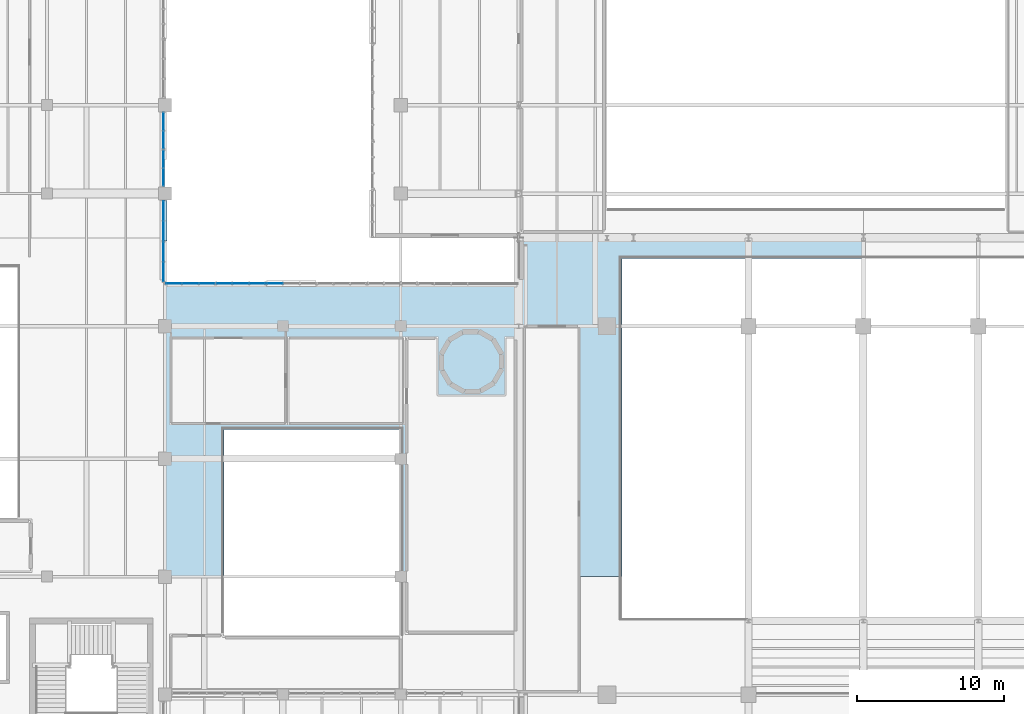
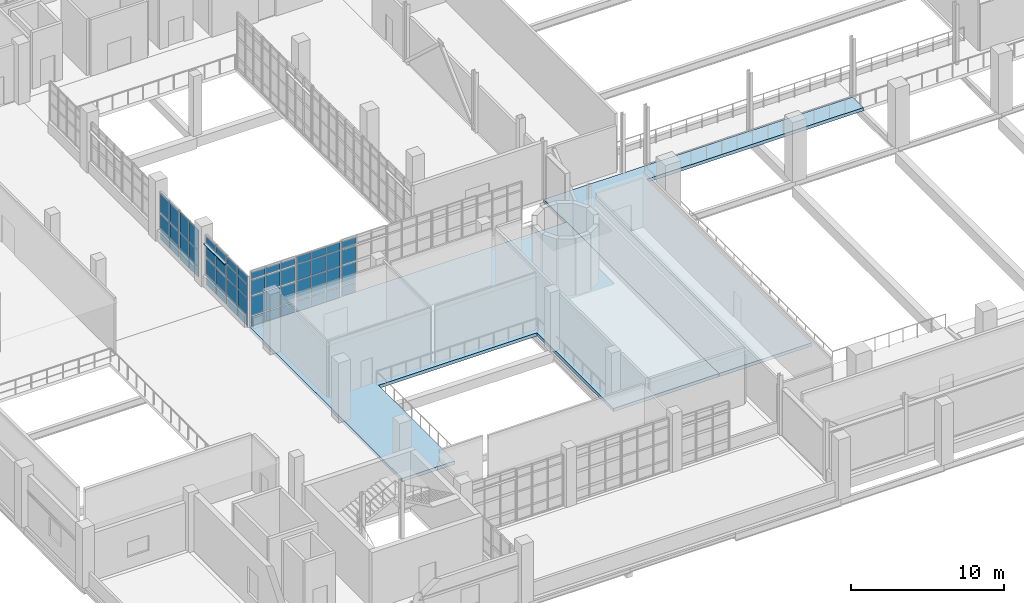
# One storey, part 67 of 102: 57 plates, 2 slabs, 7 elements without a shape of their own.
"""IFC4 building model written with IfcOpenShell, lengths in metres."""

import ifcopenshell
import ifcopenshell.guid

model = None  # the IFC model being written
_history = None  # IfcOwnerHistory: only IFC2X3 demands one
_inside = {}  # id of a spatial element -> (the spatial element, [elements in it])
_under = {}  # id of a project, library or spatial element -> (it, [spatial elements below it])
_declared = {}  # id of a project -> (the project, [libraries it declares])
_typed = {}  # id of a type object -> (the type object, [elements of that type])
_made_of = {}  # id of a material, layer set ... -> (it, [elements and type objects made of it])


def new_model(schema):
    """Start an empty IFC model of exactly this schema.

    Asked for "IFC4X3", IfcOpenShell would pick the latest addendum, in which some entities
    have other attributes; the version numbers below select the first issue.
    IFC2X3 requires an IfcOwnerHistory on every rooted entity: one is made here for all.
    """
    global model, _history
    if schema == "IFC4X3":
        model = ifcopenshell.file(schema_version=(4, 3, 0, 0))
    else:
        model = ifcopenshell.file(schema=schema)
    _inside.clear()
    _under.clear()
    _declared.clear()
    _typed.clear()
    _made_of.clear()
    _history = None
    if model.schema == "IFC2X3":
        org = make("IfcOrganization", Name="unknown")
        user = make(
            "IfcPersonAndOrganization",
            ThePerson=make("IfcPerson", FamilyName="unknown"),
            TheOrganization=org,
        )
        app = make(
            "IfcApplication",
            ApplicationDeveloper=org,
            Version="unknown",
            ApplicationFullName="unknown",
            ApplicationIdentifier="unknown",
        )
        _history = make(
            "IfcOwnerHistory",
            OwningUser=user,
            OwningApplication=app,
            ChangeAction="ADDED",
            CreationDate=0,
        )
    return model


def make(cls, **values):
    """One entity of the class cls with the attributes given. An attribute that is None is left unset."""
    return model.create_entity(
        cls, **{name: value for name, value in values.items() if value is not None}
    )


def rooted(cls, **values):
    """An entity with a GlobalId (a new one), such as an element, a storey or a relation."""
    return make(cls, GlobalId=ifcopenshell.guid.new(), OwnerHistory=_history, **values)


def si_unit(unit_type, name, prefix=None):
    """IfcSIUnit, for example si_unit("LENGTHUNIT", "METRE", prefix="MILLI")."""
    return make("IfcSIUnit", UnitType=unit_type, Prefix=prefix, Name=name)


def derived_unit(unit_type, elements):
    """IfcDerivedUnit: a product of units, each with its exponent."""
    return make(
        "IfcDerivedUnit",
        Elements=[
            make("IfcDerivedUnitElement", Unit=unit, Exponent=power)
            for unit, power in elements
        ],
        UnitType=unit_type,
    )


def assignment(units):
    """IfcUnitAssignment: the units of a project."""
    return None if units is None else make("IfcUnitAssignment", Units=units)


def point(xyz):
    """IfcCartesianPoint."""
    return None if xyz is None else make("IfcCartesianPoint", Coordinates=xyz)


def direction(xyz):
    """IfcDirection."""
    return None if xyz is None else make("IfcDirection", DirectionRatios=xyz)


def frame(location, z_axis=None, x_axis=None):
    """IfcAxis2Placement3D, a coordinate frame: its origin and axes. An axis left out is left unset."""
    return make(
        "IfcAxis2Placement3D",
        Location=point(location),
        Axis=direction(z_axis),
        RefDirection=direction(x_axis),
    )


def frame_2d(location, x_axis=None):
    """IfcAxis2Placement2D, a coordinate frame in the plane: its origin and x axis."""
    return make(
        "IfcAxis2Placement2D", Location=point(location), RefDirection=direction(x_axis)
    )


def origin():
    """The frame at (0, 0, 0) with its axes left unset."""
    return frame((0.0, 0.0, 0.0))


def origin_2d():
    """The frame at (0, 0) in the plane with its x axis left unset."""
    return frame_2d((0.0, 0.0))


def place(relative_to, where):
    """IfcLocalPlacement: puts the frame where relative to a parent placement (None: the world)."""
    return make(
        "IfcLocalPlacement", PlacementRelTo=relative_to, RelativePlacement=where
    )


def context(
    kind, dimensions, precision=None, world=None, true_north=None, identifier=None
):
    """IfcGeometricRepresentationContext, for example the 3D "Model" context."""
    return make(
        "IfcGeometricRepresentationContext",
        ContextIdentifier=identifier,
        ContextType=kind,
        CoordinateSpaceDimension=dimensions,
        Precision=precision,
        WorldCoordinateSystem=world,
        TrueNorth=true_north,
    )


def subcontext(parent, identifier, kind, view, scale=None):
    """IfcGeometricRepresentationSubContext, for example "Body" below "Model"."""
    return make(
        "IfcGeometricRepresentationSubContext",
        ContextIdentifier=identifier,
        ContextType=kind,
        ParentContext=parent,
        TargetScale=scale,
        TargetView=view,
    )


def project(units=None, contexts=None):
    """IfcProject with its units and contexts."""
    return rooted(
        "IfcProject",
        Name="project",
        RepresentationContexts=contexts,
        UnitsInContext=assignment(units),
    )


def spatial(cls, under=None, at=None, **own):
    """A site, building, storey or space (cls), placed at a placement, below another one or the project."""
    s = rooted(cls, ObjectPlacement=at, **own)
    if under is not None:
        _under.setdefault(under.id(), (under, []))[1].append(s)
    return s


def polyline(points):
    """IfcPolyline through the points."""
    return make("IfcPolyline", Points=[point(p) for p in points])


def profile(cls, at=None, kind="AREA", **sizes):
    """A parametric profile (cls). Its sizes go by their IFC names, for example OverallWidth=200.0."""
    return make(cls, ProfileType=kind, Position=at, **sizes)


def rectangle(**sizes):
    """IfcRectangleProfileDef."""
    return profile("IfcRectangleProfileDef", **sizes)


def outline(outer, holes=None, kind="AREA"):
    """IfcArbitraryClosedProfileDef: a profile drawn as a closed curve; with holes, ...WithVoids."""
    if holes is None:
        return make("IfcArbitraryClosedProfileDef", ProfileType=kind, OuterCurve=outer)
    return make(
        "IfcArbitraryProfileDefWithVoids",
        ProfileType=kind,
        OuterCurve=outer,
        InnerCurves=holes,
    )


def extrude(swept, where, along, depth):
    """IfcExtrudedAreaSolid: the profile swept, set in the frame where, extruded along a direction by depth."""
    return make(
        "IfcExtrudedAreaSolid",
        SweptArea=swept,
        Position=where,
        ExtrudedDirection=direction(along),
        Depth=depth,
    )


def shape(context_of_items, identifier, shape_type, items):
    """IfcShapeRepresentation: the items that make up one representation, for example the "Body"."""
    return make(
        "IfcShapeRepresentation",
        ContextOfItems=context_of_items,
        RepresentationIdentifier=identifier,
        RepresentationType=shape_type,
        Items=items,
    )


def material(Name=None, Category=None):
    """IfcMaterial."""
    return make("IfcMaterial", Name=Name, Category=Category)


def layer(
    of_material, thickness, ventilated=None, Name=None, Category=None, Priority=None
):
    """IfcMaterialLayer: one layer of a wall or slab, of a material (None: an air gap)."""
    return make(
        "IfcMaterialLayer",
        Material=of_material,
        LayerThickness=thickness,
        IsVentilated=ventilated,
        Name=Name,
        Category=Category,
        Priority=Priority,
    )


def layer_set(layers, Name=None):
    """IfcMaterialLayerSet."""
    return make("IfcMaterialLayerSet", MaterialLayers=layers, LayerSetName=Name)


def made_of(thing, what):
    """Note that an element or type object is made of a material, layer set ...; save() writes the relation."""
    if what is not None:
        _made_of.setdefault(what.id(), (what, []))[1].append(thing)
    return thing


def type_object(cls, material=None, **own):
    """A type object (cls), such as IfcWallType, which elements share."""
    return made_of(rooted(cls, **own), material)


def element(
    cls,
    number,
    at=None,
    inside=None,
    cuts=None,
    type_object=None,
    material=None,
    context=None,
    identifier="Body",
    shape_type=None,
    held_by="IfcProductDefinitionShape",
    body=None,
    shapes=None,
    **own,
):
    """One element of the class cls, such as IfcWall. Its Tag is "e" and its number.

    at: its placement. inside: the storey or other place that contains it. cuts: it is an
    opening in that element (IfcRelVoidsElement). A single representation is given by context,
    identifier, shape_type and body (its items); several are given by shapes. held_by: the class
    of the entity that holds the representations. save() writes the other relations.
    """
    e = rooted(cls, Tag="e%d" % number, ObjectPlacement=at, **own)
    if body is not None:
        shapes = [shape(context, identifier, shape_type, body)]
    if shapes is not None:
        e.Representation = make(held_by, Representations=shapes)
    if inside is not None:
        _inside.setdefault(inside.id(), (inside, []))[1].append(e)
    if cuts is not None:
        rooted(
            "IfcRelVoidsElement", RelatingBuildingElement=cuts, RelatedOpeningElement=e
        )
    if type_object is not None:
        _typed.setdefault(type_object.id(), (type_object, []))[1].append(e)
    return made_of(e, material)


def aggregate(whole, parts):
    """IfcRelAggregates: a whole, such as a stair, and the parts it consists of."""
    return rooted("IfcRelAggregates", RelatingObject=whole, RelatedObjects=parts)


def save(model, path):
    """Write the relations noted so far, then the file.

    IfcRelAggregates (storeys below a building ...), IfcRelContainedInSpatialStructure (elements
    in a storey), IfcRelDefinesByType, IfcRelAssociatesMaterial and IfcRelDeclares: one each for
    every whole, place, type object, material and project.
    """
    for whole, parts in _under.values():
        aggregate(whole, parts)
    for where, things in _inside.values():
        rooted(
            "IfcRelContainedInSpatialStructure",
            RelatedElements=things,
            RelatingStructure=where,
        )
    for kind, things in _typed.values():
        rooted("IfcRelDefinesByType", RelatedObjects=things, RelatingType=kind)
    for what, things in _made_of.values():
        rooted("IfcRelAssociatesMaterial", RelatedObjects=things, RelatingMaterial=what)
    for by, libraries in _declared.values():
        rooted("IfcRelDeclares", RelatingContext=by, RelatedDefinitions=libraries)
    model.write(path)


model = new_model("IFC4")

# Units and contexts
model_context = context("Model", 3, precision=1e-05, world=origin(), true_north=direction((0.0, 1.0)))
body_context = subcontext(model_context, "Body", "Model", "MODEL_VIEW")
ifc_project = project(units=[si_unit("LENGTHUNIT", "METRE"), si_unit("AREAUNIT", "SQUARE_METRE"), si_unit("VOLUMEUNIT", "CUBIC_METRE"), si_unit("PLANEANGLEUNIT", "RADIAN"), si_unit("MASSUNIT", "GRAM", prefix="KILO"), derived_unit("THERMALTRANSMITTANCEUNIT", [(si_unit("POWERUNIT", "WATT"), 1), (si_unit("LENGTHUNIT", "METRE"), -2), (si_unit("THERMODYNAMICTEMPERATUREUNIT", "KELVIN"), -1)])], contexts=[model_context])

# Site, building, storey
site_placement = place(None, origin())
site = spatial("IfcSite", under=ifc_project, at=site_placement, CompositionType="ELEMENT")
building_placement = place(site_placement, origin())
building = spatial("IfcBuilding", under=site, at=building_placement, Name="Nallur Shell Playhouse", CompositionType="ELEMENT")
storey_placement = place(building_placement, frame((0.0, 0.0, 15.0)))
storey = spatial("IfcBuildingStorey", under=building, at=storey_placement, Name="L04", CompositionType="ELEMENT", Elevation=15.0)

# Curtain wall, plates
ifc_material_1 = material(Name="Anodised Aluminium Double-Glazed Facade System", Category="aluminium")
ifc_layer_1 = layer(ifc_material_1, 0.179931640625)
ifc_layer_set_1 = layer_set([ifc_layer_1], Name="Anodised Aluminium Double-Glazed Facade System")
curtain_wall_type_1 = type_object("IfcCurtainWallType", Name="CW-UNIT-17", PredefinedType="NOTDEFINED", material=ifc_layer_set_1)
curtain_wall_1_placement = place(storey_placement, origin())
curtain_wall_1 = element("IfcCurtainWall", 1, at=curtain_wall_1_placement, inside=storey, type_object=curtain_wall_type_1, Name="Unitised curtain wall CW-145 (L04)", PredefinedType="NOTDEFINED")
ifc_material_2 = material(Name="Solar-Control Low-E Laminated Insulating Glass", Category="glass")
ifc_layer_2 = layer(ifc_material_2, 0.02587890625)
ifc_layer_set_2 = layer_set([ifc_layer_2], Name="Solar-Control Low-E Laminated Insulating Glass")
plate_type_1 = type_object("IfcPlateType", Name="PT-GLZ-01", PredefinedType="CURTAIN_PANEL", material=ifc_layer_set_2)
plate_1_placement = place(storey_placement, frame((39.909912109375, 46.058349609375, 0.05712890625), z_axis=(0.0, 0.0, 1.0), x_axis=(0.0, -1.0, 0.0)))
plate_1 = element("IfcPlate", 2, at=plate_1_placement, type_object=plate_type_1, Name="CW-17 panel 1.1", PredefinedType="CURTAIN_PANEL", context=body_context, shape_type="SweptSolid", body=[
    extrude(rectangle(XDim=1.301513671875, YDim=0.02587890625, at=origin_2d()), origin(), (0.0, 0.0, 1.0), 0.818603515625),
])
plate_2_placement = place(storey_placement, frame((39.909912109375, 46.058349609375, 0.92431640625), z_axis=(0.0, 0.0, 1.0), x_axis=(0.0, -1.0, 0.0)))
plate_2 = element("IfcPlate", 3, at=plate_2_placement, type_object=plate_type_1, Name="CW-17 panel 1.2", PredefinedType="CURTAIN_PANEL", context=body_context, shape_type="SweptSolid", body=[
    extrude(rectangle(XDim=1.301513671875, YDim=0.02587890625, at=origin_2d()), origin(), (0.0, 0.0, 1.0), 1.326904296875),
])
plate_3_placement = place(storey_placement, frame((39.909912109375, 46.058349609375, 2.300537109375), z_axis=(0.0, 0.0, 1.0), x_axis=(0.0, -1.0, 0.0)))
plate_3 = element("IfcPlate", 4, at=plate_3_placement, type_object=plate_type_1, Name="CW-17 panel 1.3", PredefinedType="CURTAIN_PANEL", context=body_context, shape_type="SweptSolid", body=[
    extrude(rectangle(XDim=1.301513671875, YDim=0.02587890625, at=origin_2d()), origin(), (0.0, 0.0, 1.0), 1.06005859375),
])
plate_4_placement = place(storey_placement, frame((39.909912109375, 46.058349609375, 3.40966796875), z_axis=(0.0, 0.0, 1.0), x_axis=(0.0, -1.0, 0.0)))
plate_4 = element("IfcPlate", 5, at=plate_4_placement, type_object=plate_type_1, Name="CW-17 panel 1.4", PredefinedType="CURTAIN_PANEL", context=body_context, shape_type="SweptSolid", body=[
    extrude(rectangle(XDim=1.301513671875, YDim=0.02587890625, at=origin_2d()), origin(), (0.0, 0.0, 1.0), 0.598388671875),
])
plate_5_placement = place(storey_placement, frame((39.909912109375, 44.707763671875, 0.05712890625), z_axis=(0.0, 0.0, 1.0), x_axis=(0.0, -1.0, 0.0)))
plate_5 = element("IfcPlate", 6, at=plate_5_placement, type_object=plate_type_1, Name="CW-17 panel 2.1", PredefinedType="CURTAIN_PANEL", context=body_context, shape_type="SweptSolid", body=[
    extrude(rectangle(XDim=1.301513671875, YDim=0.02587890625, at=origin_2d()), origin(), (0.0, 0.0, 1.0), 0.818603515625),
])
plate_6_placement = place(storey_placement, frame((39.909912109375, 44.707763671875, 0.92431640625), z_axis=(0.0, 0.0, 1.0), x_axis=(0.0, -1.0, 0.0)))
plate_6 = element("IfcPlate", 7, at=plate_6_placement, type_object=plate_type_1, Name="CW-17 panel 2.2", PredefinedType="CURTAIN_PANEL", context=body_context, shape_type="SweptSolid", body=[
    extrude(rectangle(XDim=1.301513671875, YDim=0.02587890625, at=origin_2d()), origin(), (0.0, 0.0, 1.0), 1.326904296875),
])
plate_7_placement = place(storey_placement, frame((39.909912109375, 44.707763671875, 2.300537109375), z_axis=(0.0, 0.0, 1.0), x_axis=(0.0, -1.0, 0.0)))
plate_7 = element("IfcPlate", 8, at=plate_7_placement, type_object=plate_type_1, Name="CW-17 panel 2.3", PredefinedType="CURTAIN_PANEL", context=body_context, shape_type="SweptSolid", body=[
    extrude(rectangle(XDim=1.301513671875, YDim=0.02587890625, at=origin_2d()), origin(), (0.0, 0.0, 1.0), 1.06005859375),
])
plate_8_placement = place(storey_placement, frame((39.909912109375, 44.707763671875, 3.40966796875), z_axis=(0.0, 0.0, 1.0), x_axis=(0.0, -1.0, 0.0)))
plate_8 = element("IfcPlate", 9, at=plate_8_placement, type_object=plate_type_1, Name="CW-17 panel 2.4", PredefinedType="CURTAIN_PANEL", context=body_context, shape_type="SweptSolid", body=[
    extrude(rectangle(XDim=1.301513671875, YDim=0.02587890625, at=origin_2d()), origin(), (0.0, 0.0, 1.0), 0.598388671875),
])
aggregate(curtain_wall_1, [plate_1, plate_2, plate_3, plate_4, plate_5, plate_6, plate_7, plate_8])

ifc_layer_3 = layer(ifc_material_1, 0.159912109375)
ifc_layer_set_3 = layer_set([ifc_layer_3], Name="Anodised Aluminium Double-Glazed Facade System")
curtain_wall_type_2 = type_object("IfcCurtainWallType", Name="CW-UNIT-18", PredefinedType="NOTDEFINED", material=ifc_layer_set_3)
curtain_wall_2_placement = place(storey_placement, origin())
curtain_wall_2 = element("IfcCurtainWall", 10, at=curtain_wall_2_placement, inside=storey, type_object=curtain_wall_type_2, Name="Unitised curtain wall CW-146 (L04)", PredefinedType="NOTDEFINED")
ifc_layer_4 = layer(ifc_material_2, 0.028076171875)
ifc_layer_set_4 = layer_set([ifc_layer_4], Name="Solar-Control Low-E Laminated Insulating Glass")
plate_type_2 = type_object("IfcPlateType", Name="PT-GLZ-02", PredefinedType="CURTAIN_PANEL", material=ifc_layer_set_4)
plate_9_placement = place(storey_placement, frame((40.590576171875, 43.909912109375, 0.092041015625), z_axis=(0.0, 0.0, 1.0), x_axis=(1.0, 0.0, 0.0)))
plate_9 = element("IfcPlate", 11, at=plate_9_placement, type_object=plate_type_2, Name="CW-18 panel 1.1", PredefinedType="CURTAIN_PANEL", context=body_context, shape_type="SweptSolid", body=[
    extrude(rectangle(XDim=1.037109375, YDim=0.028076171875, at=origin_2d()), origin(), (0.0, 0.0, 1.0), 0.76611328125),
])
plate_10_placement = place(storey_placement, frame((40.590576171875, 43.909912109375, 0.94189453125), z_axis=(0.0, 0.0, 1.0), x_axis=(1.0, 0.0, 0.0)))
plate_10 = element("IfcPlate", 12, at=plate_10_placement, type_object=plate_type_2, Name="CW-18 panel 1.2", PredefinedType="CURTAIN_PANEL", context=body_context, shape_type="SweptSolid", body=[
    extrude(rectangle(XDim=1.037109375, YDim=0.028076171875, at=origin_2d()), origin(), (0.0, 0.0, 1.0), 1.5419921875),
])
plate_11_placement = place(storey_placement, frame((40.590576171875, 43.909912109375, 2.56787109375), z_axis=(0.0, 0.0, 1.0), x_axis=(1.0, 0.0, 0.0)))
plate_11 = element("IfcPlate", 13, at=plate_11_placement, type_object=plate_type_2, Name="CW-18 panel 1.3", PredefinedType="CURTAIN_PANEL", context=body_context, shape_type="SweptSolid", body=[
    extrude(rectangle(XDim=1.037109375, YDim=0.028076171875, at=origin_2d()), origin(), (0.0, 0.0, 1.0), 1.219970703125),
])
plate_12_placement = place(storey_placement, frame((40.590576171875, 43.909912109375, 3.8720703125), z_axis=(0.0, 0.0, 1.0), x_axis=(1.0, 0.0, 0.0)))
plate_12 = element("IfcPlate", 14, at=plate_12_placement, type_object=plate_type_2, Name="CW-18 panel 1.4", PredefinedType="CURTAIN_PANEL", context=body_context, shape_type="SweptSolid", body=[
    extrude(rectangle(XDim=1.037109375, YDim=0.028076171875, at=origin_2d()), origin(), (0.0, 0.0, 1.0), 0.5458984375),
])
plate_13_placement = place(storey_placement, frame((41.7119140625, 43.909912109375, 0.092041015625), z_axis=(0.0, 0.0, 1.0), x_axis=(1.0, 0.0, 0.0)))
plate_13 = element("IfcPlate", 15, at=plate_13_placement, type_object=plate_type_2, Name="CW-18 panel 2.1", PredefinedType="CURTAIN_PANEL", context=body_context, shape_type="SweptSolid", body=[
    extrude(rectangle(XDim=1.0771484375, YDim=0.028076171875, at=origin_2d()), origin(), (0.0, 0.0, 1.0), 0.76611328125),
])
plate_14_placement = place(storey_placement, frame((41.7119140625, 43.909912109375, 0.94189453125), z_axis=(0.0, 0.0, 1.0), x_axis=(1.0, 0.0, 0.0)))
plate_14 = element("IfcPlate", 16, at=plate_14_placement, type_object=plate_type_2, Name="CW-18 panel 2.2", PredefinedType="CURTAIN_PANEL", context=body_context, shape_type="SweptSolid", body=[
    extrude(rectangle(XDim=1.0771484375, YDim=0.028076171875, at=origin_2d()), origin(), (0.0, 0.0, 1.0), 1.5419921875),
])
plate_15_placement = place(storey_placement, frame((41.7119140625, 43.909912109375, 2.56787109375), z_axis=(0.0, 0.0, 1.0), x_axis=(1.0, 0.0, 0.0)))
plate_15 = element("IfcPlate", 17, at=plate_15_placement, type_object=plate_type_2, Name="CW-18 panel 2.3", PredefinedType="CURTAIN_PANEL", context=body_context, shape_type="SweptSolid", body=[
    extrude(rectangle(XDim=1.0771484375, YDim=0.028076171875, at=origin_2d()), origin(), (0.0, 0.0, 1.0), 1.219970703125),
])
plate_16_placement = place(storey_placement, frame((41.7119140625, 43.909912109375, 3.8720703125), z_axis=(0.0, 0.0, 1.0), x_axis=(1.0, 0.0, 0.0)))
plate_16 = element("IfcPlate", 18, at=plate_16_placement, type_object=plate_type_2, Name="CW-18 panel 2.4", PredefinedType="CURTAIN_PANEL", context=body_context, shape_type="SweptSolid", body=[
    extrude(rectangle(XDim=1.0771484375, YDim=0.028076171875, at=origin_2d()), origin(), (0.0, 0.0, 1.0), 0.5458984375),
])
plate_17_placement = place(storey_placement, frame((42.8330078125, 43.909912109375, 0.092041015625), z_axis=(0.0, 0.0, 1.0), x_axis=(1.0, 0.0, 0.0)))
plate_17 = element("IfcPlate", 19, at=plate_17_placement, type_object=plate_type_2, Name="CW-18 panel 3.1", PredefinedType="CURTAIN_PANEL", context=body_context, shape_type="SweptSolid", body=[
    extrude(rectangle(XDim=1.037109375, YDim=0.028076171875, at=origin_2d()), origin(), (0.0, 0.0, 1.0), 0.76611328125),
])
plate_18_placement = place(storey_placement, frame((42.8330078125, 43.909912109375, 0.94189453125), z_axis=(0.0, 0.0, 1.0), x_axis=(1.0, 0.0, 0.0)))
plate_18 = element("IfcPlate", 20, at=plate_18_placement, type_object=plate_type_2, Name="CW-18 panel 3.2", PredefinedType="CURTAIN_PANEL", context=body_context, shape_type="SweptSolid", body=[
    extrude(rectangle(XDim=1.037109375, YDim=0.028076171875, at=origin_2d()), origin(), (0.0, 0.0, 1.0), 1.5419921875),
])
plate_19_placement = place(storey_placement, frame((42.8330078125, 43.909912109375, 2.56787109375), z_axis=(0.0, 0.0, 1.0), x_axis=(1.0, 0.0, 0.0)))
plate_19 = element("IfcPlate", 21, at=plate_19_placement, type_object=plate_type_2, Name="CW-18 panel 3.3", PredefinedType="CURTAIN_PANEL", context=body_context, shape_type="SweptSolid", body=[
    extrude(rectangle(XDim=1.037109375, YDim=0.028076171875, at=origin_2d()), origin(), (0.0, 0.0, 1.0), 1.219970703125),
])
plate_20_placement = place(storey_placement, frame((42.8330078125, 43.909912109375, 3.8720703125), z_axis=(0.0, 0.0, 1.0), x_axis=(1.0, 0.0, 0.0)))
plate_20 = element("IfcPlate", 22, at=plate_20_placement, type_object=plate_type_2, Name="CW-18 panel 3.4", PredefinedType="CURTAIN_PANEL", context=body_context, shape_type="SweptSolid", body=[
    extrude(rectangle(XDim=1.037109375, YDim=0.028076171875, at=origin_2d()), origin(), (0.0, 0.0, 1.0), 0.5458984375),
])
aggregate(curtain_wall_2, [plate_9, plate_10, plate_11, plate_12, plate_13, plate_14, plate_15, plate_16, plate_17, plate_18, plate_19, plate_20])

ifc_layer_5 = layer(ifc_material_1, 0.1640625)
ifc_layer_set_5 = layer_set([ifc_layer_5], Name="Anodised Aluminium Double-Glazed Facade System")
curtain_wall_type_3 = type_object("IfcCurtainWallType", Name="CW-UNIT-19", PredefinedType="NOTDEFINED", material=ifc_layer_set_5)
curtain_wall_3_placement = place(storey_placement, origin())
curtain_wall_3 = element("IfcCurtainWall", 23, at=curtain_wall_3_placement, inside=storey, type_object=curtain_wall_type_3, Name="Unitised curtain wall CW-147 (L04)", PredefinedType="NOTDEFINED")
ifc_layer_6 = layer(ifc_material_2, 0.030029296875)
ifc_layer_set_6 = layer_set([ifc_layer_6], Name="Solar-Control Low-E Laminated Insulating Glass")
plate_type_3 = type_object("IfcPlateType", Name="PT-GLZ-03", PredefinedType="CURTAIN_PANEL", material=ifc_layer_set_6)
plate_21_placement = place(storey_placement, frame((44.022216796875, 43.909912109375, 0.05712890625), z_axis=(0.0, 0.0, 1.0), x_axis=(1.0, 0.0, 0.0)))
plate_21 = element("IfcPlate", 24, at=plate_21_placement, type_object=plate_type_3, Name="CW-19 panel 1.1", PredefinedType="CURTAIN_PANEL", context=body_context, shape_type="SweptSolid", body=[
    extrude(rectangle(XDim=1.04296875, YDim=0.030029296875, at=origin_2d()), origin(), (0.0, 0.0, 1.0), 0.818603515625),
])
plate_22_placement = place(storey_placement, frame((44.022216796875, 43.909912109375, 0.924560546875), z_axis=(0.0, 0.0, 1.0), x_axis=(1.0, 0.0, 0.0)))
plate_22 = element("IfcPlate", 25, at=plate_22_placement, type_object=plate_type_3, Name="CW-19 panel 1.2", PredefinedType="CURTAIN_PANEL", context=body_context, shape_type="SweptSolid", body=[
    extrude(rectangle(XDim=1.04296875, YDim=0.030029296875, at=origin_2d()), origin(), (0.0, 0.0, 1.0), 1.58203125),
])
plate_23_placement = place(storey_placement, frame((44.022216796875, 43.909912109375, 2.5556640625), z_axis=(0.0, 0.0, 1.0), x_axis=(1.0, 0.0, 0.0)))
plate_23 = element("IfcPlate", 26, at=plate_23_placement, type_object=plate_type_3, Name="CW-19 panel 1.3", PredefinedType="CURTAIN_PANEL", context=body_context, shape_type="SweptSolid", body=[
    extrude(rectangle(XDim=1.04296875, YDim=0.030029296875, at=origin_2d()), origin(), (0.0, 0.0, 1.0), 1.260009765625),
])
plate_24_placement = place(storey_placement, frame((44.022216796875, 43.909912109375, 3.86474609375), z_axis=(0.0, 0.0, 1.0), x_axis=(1.0, 0.0, 0.0)))
plate_24 = element("IfcPlate", 27, at=plate_24_placement, type_object=plate_type_3, Name="CW-19 panel 1.4", PredefinedType="CURTAIN_PANEL", context=body_context, shape_type="SweptSolid", body=[
    extrude(rectangle(XDim=1.04296875, YDim=0.030029296875, at=origin_2d()), origin(), (0.0, 0.0, 1.0), 0.598388671875),
])
plate_25_placement = place(storey_placement, frame((45.142822265625, 43.909912109375, 0.05712890625), z_axis=(0.0, 0.0, 1.0), x_axis=(1.0, 0.0, 0.0)))
plate_25 = element("IfcPlate", 28, at=plate_25_placement, type_object=plate_type_3, Name="CW-19 panel 2.1", PredefinedType="CURTAIN_PANEL", context=body_context, shape_type="SweptSolid", body=[
    extrude(rectangle(XDim=1.08056640625, YDim=0.030029296875, at=origin_2d()), origin(), (0.0, 0.0, 1.0), 0.818603515625),
])
plate_26_placement = place(storey_placement, frame((45.142822265625, 43.909912109375, 0.924560546875), z_axis=(0.0, 0.0, 1.0), x_axis=(1.0, 0.0, 0.0)))
plate_26 = element("IfcPlate", 29, at=plate_26_placement, type_object=plate_type_3, Name="CW-19 panel 2.2", PredefinedType="CURTAIN_PANEL", context=body_context, shape_type="SweptSolid", body=[
    extrude(rectangle(XDim=1.08056640625, YDim=0.030029296875, at=origin_2d()), origin(), (0.0, 0.0, 1.0), 1.58203125),
])
plate_27_placement = place(storey_placement, frame((45.142822265625, 43.909912109375, 2.5556640625), z_axis=(0.0, 0.0, 1.0), x_axis=(1.0, 0.0, 0.0)))
plate_27 = element("IfcPlate", 30, at=plate_27_placement, type_object=plate_type_3, Name="CW-19 panel 2.3", PredefinedType="CURTAIN_PANEL", context=body_context, shape_type="SweptSolid", body=[
    extrude(rectangle(XDim=1.08056640625, YDim=0.030029296875, at=origin_2d()), origin(), (0.0, 0.0, 1.0), 1.260009765625),
])
plate_28_placement = place(storey_placement, frame((45.142822265625, 43.909912109375, 3.86474609375), z_axis=(0.0, 0.0, 1.0), x_axis=(1.0, 0.0, 0.0)))
plate_28 = element("IfcPlate", 31, at=plate_28_placement, type_object=plate_type_3, Name="CW-19 panel 2.4", PredefinedType="CURTAIN_PANEL", context=body_context, shape_type="SweptSolid", body=[
    extrude(rectangle(XDim=1.08056640625, YDim=0.030029296875, at=origin_2d()), origin(), (0.0, 0.0, 1.0), 0.598388671875),
])
plate_29_placement = place(storey_placement, frame((46.263671875, 43.909912109375, 0.05712890625), z_axis=(0.0, 0.0, 1.0), x_axis=(1.0, 0.0, 0.0)))
plate_29 = element("IfcPlate", 32, at=plate_29_placement, type_object=plate_type_3, Name="CW-19 panel 3.1", PredefinedType="CURTAIN_PANEL", context=body_context, shape_type="SweptSolid", body=[
    extrude(rectangle(XDim=1.04296875, YDim=0.030029296875, at=origin_2d()), origin(), (0.0, 0.0, 1.0), 0.818603515625),
])
plate_30_placement = place(storey_placement, frame((46.263671875, 43.909912109375, 0.924560546875), z_axis=(0.0, 0.0, 1.0), x_axis=(1.0, 0.0, 0.0)))
plate_30 = element("IfcPlate", 33, at=plate_30_placement, type_object=plate_type_3, Name="CW-19 panel 3.2", PredefinedType="CURTAIN_PANEL", context=body_context, shape_type="SweptSolid", body=[
    extrude(rectangle(XDim=1.04296875, YDim=0.030029296875, at=origin_2d()), origin(), (0.0, 0.0, 1.0), 1.58203125),
])
plate_31_placement = place(storey_placement, frame((46.263671875, 43.909912109375, 2.5556640625), z_axis=(0.0, 0.0, 1.0), x_axis=(1.0, 0.0, 0.0)))
plate_31 = element("IfcPlate", 34, at=plate_31_placement, type_object=plate_type_3, Name="CW-19 panel 3.3", PredefinedType="CURTAIN_PANEL", context=body_context, shape_type="SweptSolid", body=[
    extrude(rectangle(XDim=1.04296875, YDim=0.030029296875, at=origin_2d()), origin(), (0.0, 0.0, 1.0), 1.260009765625),
])
plate_32_placement = place(storey_placement, frame((46.263671875, 43.909912109375, 3.86474609375), z_axis=(0.0, 0.0, 1.0), x_axis=(1.0, 0.0, 0.0)))
plate_32 = element("IfcPlate", 35, at=plate_32_placement, type_object=plate_type_3, Name="CW-19 panel 3.4", PredefinedType="CURTAIN_PANEL", context=body_context, shape_type="SweptSolid", body=[
    extrude(rectangle(XDim=1.04296875, YDim=0.030029296875, at=origin_2d()), origin(), (0.0, 0.0, 1.0), 0.598388671875),
])
aggregate(curtain_wall_3, [plate_21, plate_22, plate_23, plate_24, plate_25, plate_26, plate_27, plate_28, plate_29, plate_30, plate_31, plate_32])

ifc_layer_7 = layer(ifc_material_1, 0.16796875)
ifc_layer_set_7 = layer_set([ifc_layer_7], Name="Anodised Aluminium Double-Glazed Facade System")
curtain_wall_type_4 = type_object("IfcCurtainWallType", Name="CW-UNIT-20", PredefinedType="NOTDEFINED", material=ifc_layer_set_7)
curtain_wall_4_placement = place(storey_placement, origin())
curtain_wall_4 = element("IfcCurtainWall", 36, at=curtain_wall_4_placement, inside=storey, type_object=curtain_wall_type_4, Name="Unitised curtain wall CW-148 (L04)", PredefinedType="NOTDEFINED")
ifc_layer_8 = layer(ifc_material_2, 0.031982421875)
ifc_layer_set_8 = layer_set([ifc_layer_8], Name="Solar-Control Low-E Laminated Insulating Glass")
plate_type_4 = type_object("IfcPlateType", Name="PT-GLZ-04", PredefinedType="CURTAIN_PANEL", material=ifc_layer_set_8)
plate_33_placement = place(storey_placement, frame((47.447998046875, 43.909912109375, 0.092041015625), z_axis=(0.0, 0.0, 1.0), x_axis=(1.0, 0.0, 0.0)))
plate_33 = element("IfcPlate", 37, at=plate_33_placement, type_object=plate_type_4, Name="CW-20 panel 1.1", PredefinedType="CURTAIN_PANEL", context=body_context, shape_type="SweptSolid", body=[
    extrude(rectangle(XDim=1.05810546875, YDim=0.031982421875, at=origin_2d()), origin(), (0.0, 0.0, 1.0), 0.76611328125),
])
plate_34_placement = place(storey_placement, frame((47.447998046875, 43.909912109375, 0.94189453125), z_axis=(0.0, 0.0, 1.0), x_axis=(1.0, 0.0, 0.0)))
plate_34 = element("IfcPlate", 38, at=plate_34_placement, type_object=plate_type_4, Name="CW-20 panel 1.2", PredefinedType="CURTAIN_PANEL", context=body_context, shape_type="SweptSolid", body=[
    extrude(rectangle(XDim=1.05810546875, YDim=0.031982421875, at=origin_2d()), origin(), (0.0, 0.0, 1.0), 1.5810546875),
])
plate_35_placement = place(storey_placement, frame((47.447998046875, 43.909912109375, 2.60693359375), z_axis=(0.0, 0.0, 1.0), x_axis=(1.0, 0.0, 0.0)))
plate_35 = element("IfcPlate", 39, at=plate_35_placement, type_object=plate_type_4, Name="CW-20 panel 1.3", PredefinedType="CURTAIN_PANEL", context=body_context, shape_type="SweptSolid", body=[
    extrude(rectangle(XDim=1.05810546875, YDim=0.031982421875, at=origin_2d()), origin(), (0.0, 0.0, 1.0), 1.2509765625),
])
plate_36_placement = place(storey_placement, frame((47.447998046875, 43.909912109375, 3.942138671875), z_axis=(0.0, 0.0, 1.0), x_axis=(1.0, 0.0, 0.0)))
plate_36 = element("IfcPlate", 40, at=plate_36_placement, type_object=plate_type_4, Name="CW-20 panel 1.4", PredefinedType="CURTAIN_PANEL", context=body_context, shape_type="SweptSolid", body=[
    extrude(rectangle(XDim=1.05810546875, YDim=0.031982421875, at=origin_2d()), origin(), (0.0, 0.0, 1.0), 0.5458984375),
])
aggregate(curtain_wall_4, [plate_33, plate_34, plate_35, plate_36])

ifc_layer_9 = layer(ifc_material_1, 0.16796875)
ifc_layer_set_9 = layer_set([ifc_layer_9], Name="Anodised Aluminium Double-Glazed Facade System")
curtain_wall_type_5 = type_object("IfcCurtainWallType", Name="CW-UNIT-14", PredefinedType="NOTDEFINED", material=ifc_layer_set_9)
curtain_wall_5_placement = place(storey_placement, origin())
curtain_wall_5 = element("IfcCurtainWall", 41, at=curtain_wall_5_placement, inside=storey, type_object=curtain_wall_type_5, Name="Unitised curtain wall CW-142 (L04)", PredefinedType="NOTDEFINED")
ifc_layer_10 = layer(ifc_material_2, 0.035888671875)
ifc_layer_set_10 = layer_set([ifc_layer_10], Name="Solar-Control Low-E Laminated Insulating Glass")
plate_type_5 = type_object("IfcPlateType", Name="PT-GLZ-06", PredefinedType="CURTAIN_PANEL", material=ifc_layer_set_10)
plate_37_placement = place(storey_placement, frame((39.909912109375, 54.8916015625, 0.092041015625), z_axis=(0.0, 0.0, 1.0), x_axis=(0.0, -1.0, 0.0)))
plate_37 = element("IfcPlate", 42, at=plate_37_placement, type_object=plate_type_5, Name="CW-14 panel 1.1", PredefinedType="CURTAIN_PANEL", context=body_context, shape_type="SweptSolid", body=[
    extrude(rectangle(XDim=1.18701171875, YDim=0.035888671875, at=origin_2d()), origin(), (0.0, 0.0, 1.0), 0.76611328125),
])
plate_38_placement = place(storey_placement, frame((39.909912109375, 54.8916015625, 0.94189453125), z_axis=(0.0, 0.0, 1.0), x_axis=(0.0, -1.0, 0.0)))
plate_38 = element("IfcPlate", 43, at=plate_38_placement, type_object=plate_type_5, Name="CW-14 panel 1.2", PredefinedType="CURTAIN_PANEL", context=body_context, shape_type="SweptSolid", body=[
    extrude(rectangle(XDim=1.18701171875, YDim=0.035888671875, at=origin_2d()), origin(), (0.0, 0.0, 1.0), 1.197021484375),
])
plate_39_placement = place(storey_placement, frame((39.909912109375, 54.8916015625, 2.222900390625), z_axis=(0.0, 0.0, 1.0), x_axis=(0.0, -1.0, 0.0)))
plate_39 = element("IfcPlate", 44, at=plate_39_placement, type_object=plate_type_5, Name="CW-14 panel 1.3", PredefinedType="CURTAIN_PANEL", context=body_context, shape_type="SweptSolid", body=[
    extrude(rectangle(XDim=1.18701171875, YDim=0.035888671875, at=origin_2d()), origin(), (0.0, 0.0, 1.0), 1.580078125),
])
plate_40_placement = place(storey_placement, frame((39.909912109375, 53.655517578125, 0.092041015625), z_axis=(0.0, 0.0, 1.0), x_axis=(0.0, -1.0, 0.0)))
plate_40 = element("IfcPlate", 45, at=plate_40_placement, type_object=plate_type_5, Name="CW-14 panel 2.1", PredefinedType="CURTAIN_PANEL", context=body_context, shape_type="SweptSolid", body=[
    extrude(rectangle(XDim=1.18701171875, YDim=0.035888671875, at=origin_2d()), origin(), (0.0, 0.0, 1.0), 0.76611328125),
])
plate_41_placement = place(storey_placement, frame((39.909912109375, 53.655517578125, 0.94189453125), z_axis=(0.0, 0.0, 1.0), x_axis=(0.0, -1.0, 0.0)))
plate_41 = element("IfcPlate", 46, at=plate_41_placement, type_object=plate_type_5, Name="CW-14 panel 2.2", PredefinedType="CURTAIN_PANEL", context=body_context, shape_type="SweptSolid", body=[
    extrude(rectangle(XDim=1.18701171875, YDim=0.035888671875, at=origin_2d()), origin(), (0.0, 0.0, 1.0), 1.197021484375),
])
plate_42_placement = place(storey_placement, frame((39.909912109375, 53.655517578125, 2.222900390625), z_axis=(0.0, 0.0, 1.0), x_axis=(0.0, -1.0, 0.0)))
plate_42 = element("IfcPlate", 47, at=plate_42_placement, type_object=plate_type_5, Name="CW-14 panel 2.3", PredefinedType="CURTAIN_PANEL", context=body_context, shape_type="SweptSolid", body=[
    extrude(rectangle(XDim=1.18701171875, YDim=0.035888671875, at=origin_2d()), origin(), (0.0, 0.0, 1.0), 1.580078125),
])
aggregate(curtain_wall_5, [plate_37, plate_38, plate_39, plate_40, plate_41, plate_42])

ifc_layer_11 = layer(ifc_material_1, 0.172119140625)
ifc_layer_set_11 = layer_set([ifc_layer_11], Name="Anodised Aluminium Double-Glazed Facade System")
curtain_wall_type_6 = type_object("IfcCurtainWallType", Name="CW-UNIT-15", PredefinedType="NOTDEFINED", material=ifc_layer_set_11)
curtain_wall_6_placement = place(storey_placement, origin())
curtain_wall_6 = element("IfcCurtainWall", 48, at=curtain_wall_6_placement, inside=storey, type_object=curtain_wall_type_6, Name="Unitised curtain wall CW-143 (L04)", PredefinedType="NOTDEFINED")
ifc_layer_12 = layer(ifc_material_2, 0.0380859375)
ifc_layer_set_12 = layer_set([ifc_layer_12], Name="Solar-Control Low-E Laminated Insulating Glass")
plate_type_6 = type_object("IfcPlateType", Name="PT-GLZ-07", PredefinedType="CURTAIN_PANEL", material=ifc_layer_set_12)
plate_43_placement = place(storey_placement, frame((39.909912109375, 52.3408203125, 0.05712890625), z_axis=(0.0, 0.0, 1.0), x_axis=(0.0, -1.0, 0.0)))
plate_43 = element("IfcPlate", 49, at=plate_43_placement, type_object=plate_type_6, Name="CW-15 panel 1.1", PredefinedType="CURTAIN_PANEL", context=body_context, shape_type="SweptSolid", body=[
    extrude(rectangle(XDim=1.16455078125, YDim=0.0380859375, at=origin_2d()), origin(), (0.0, 0.0, 1.0), 0.818603515625),
])
plate_44_placement = place(storey_placement, frame((39.909912109375, 52.3408203125, 0.92431640625), z_axis=(0.0, 0.0, 1.0), x_axis=(0.0, -1.0, 0.0)))
plate_44 = element("IfcPlate", 50, at=plate_44_placement, type_object=plate_type_6, Name="CW-15 panel 1.2", PredefinedType="CURTAIN_PANEL", context=body_context, shape_type="SweptSolid", body=[
    extrude(rectangle(XDim=1.16455078125, YDim=0.0380859375, at=origin_2d()), origin(), (0.0, 0.0, 1.0), 1.220947265625),
])
plate_45_placement = place(storey_placement, frame((39.909912109375, 52.3408203125, 2.194580078125), z_axis=(0.0, 0.0, 1.0), x_axis=(0.0, -1.0, 0.0)))
plate_45 = element("IfcPlate", 51, at=plate_45_placement, type_object=plate_type_6, Name="CW-15 panel 1.3", PredefinedType="CURTAIN_PANEL", context=body_context, shape_type="SweptSolid", body=[
    extrude(rectangle(XDim=1.16455078125, YDim=0.0380859375, at=origin_2d()), origin(), (0.0, 0.0, 1.0), 1.62353515625),
])
plate_46_placement = place(storey_placement, frame((39.909912109375, 51.1123046875, 0.05712890625), z_axis=(0.0, 0.0, 1.0), x_axis=(0.0, -1.0, 0.0)))
plate_46 = element("IfcPlate", 52, at=plate_46_placement, type_object=plate_type_6, Name="CW-15 panel 2.1", PredefinedType="CURTAIN_PANEL", context=body_context, shape_type="SweptSolid", body=[
    extrude(rectangle(XDim=1.16455078125, YDim=0.0380859375, at=origin_2d()), origin(), (0.0, 0.0, 1.0), 0.818603515625),
])
plate_47_placement = place(storey_placement, frame((39.909912109375, 51.1123046875, 0.92431640625), z_axis=(0.0, 0.0, 1.0), x_axis=(0.0, -1.0, 0.0)))
plate_47 = element("IfcPlate", 53, at=plate_47_placement, type_object=plate_type_6, Name="CW-15 panel 2.2", PredefinedType="CURTAIN_PANEL", context=body_context, shape_type="SweptSolid", body=[
    extrude(rectangle(XDim=1.16455078125, YDim=0.0380859375, at=origin_2d()), origin(), (0.0, 0.0, 1.0), 1.220947265625),
])
plate_48_placement = place(storey_placement, frame((39.909912109375, 51.1123046875, 2.194580078125), z_axis=(0.0, 0.0, 1.0), x_axis=(0.0, -1.0, 0.0)))
plate_48 = element("IfcPlate", 54, at=plate_48_placement, type_object=plate_type_6, Name="CW-15 panel 2.3", PredefinedType="CURTAIN_PANEL", context=body_context, shape_type="SweptSolid", body=[
    extrude(rectangle(XDim=1.16455078125, YDim=0.0380859375, at=origin_2d()), origin(), (0.0, 0.0, 1.0), 1.62353515625),
])
aggregate(curtain_wall_6, [plate_43, plate_44, plate_45, plate_46, plate_47, plate_48])

ifc_layer_13 = layer(ifc_material_1, 0.176025390625)
ifc_layer_set_13 = layer_set([ifc_layer_13], Name="Anodised Aluminium Double-Glazed Facade System")
curtain_wall_type_7 = type_object("IfcCurtainWallType", Name="CW-UNIT-16", PredefinedType="NOTDEFINED", material=ifc_layer_set_13)
curtain_wall_7_placement = place(storey_placement, origin())
curtain_wall_7 = element("IfcCurtainWall", 55, at=curtain_wall_7_placement, inside=storey, type_object=curtain_wall_type_7, Name="Unitised curtain wall CW-144 (L04)", PredefinedType="NOTDEFINED")
ifc_layer_14 = layer(ifc_material_2, 0.0400390625)
ifc_layer_set_14 = layer_set([ifc_layer_14], Name="Solar-Control Low-E Laminated Insulating Glass")
plate_type_7 = type_object("IfcPlateType", Name="PT-GLZ-08", PredefinedType="CURTAIN_PANEL", material=ifc_layer_set_14)
plate_49_placement = place(storey_placement, frame((39.909912109375, 48.831787109375, 0.092041015625), z_axis=(0.0, 0.0, 1.0), x_axis=(0.0, -1.0, 0.0)))
plate_49 = element("IfcPlate", 56, at=plate_49_placement, type_object=plate_type_7, Name="CW-16 panel 1.1", PredefinedType="CURTAIN_PANEL", context=body_context, shape_type="SweptSolid", body=[
    extrude(rectangle(XDim=1.28662109375, YDim=0.0400390625, at=origin_2d()), origin(), (0.0, 0.0, 1.0), 0.76611328125),
])
plate_50_placement = place(storey_placement, frame((39.909912109375, 48.831787109375, 0.94189453125), z_axis=(0.0, 0.0, 1.0), x_axis=(0.0, -1.0, 0.0)))
plate_50 = element("IfcPlate", 57, at=plate_50_placement, type_object=plate_type_7, Name="CW-16 panel 1.2", PredefinedType="CURTAIN_PANEL", context=body_context, shape_type="SweptSolid", body=[
    extrude(rectangle(XDim=1.28662109375, YDim=0.0400390625, at=origin_2d()), origin(), (0.0, 0.0, 1.0), 1.303955078125),
])
plate_51_placement = place(storey_placement, frame((39.909912109375, 48.831787109375, 2.330078125), z_axis=(0.0, 0.0, 1.0), x_axis=(0.0, -1.0, 0.0)))
plate_51 = element("IfcPlate", 58, at=plate_51_placement, type_object=plate_type_7, Name="CW-16 panel 1.3", PredefinedType="CURTAIN_PANEL", context=body_context, shape_type="SweptSolid", body=[
    extrude(rectangle(XDim=1.28662109375, YDim=0.0400390625, at=origin_2d()), origin(), (0.0, 0.0, 1.0), 1.032958984375),
])
plate_52_placement = place(storey_placement, frame((39.909912109375, 48.831787109375, 3.447021484375), z_axis=(0.0, 0.0, 1.0), x_axis=(0.0, -1.0, 0.0)))
plate_52 = element("IfcPlate", 59, at=plate_52_placement, type_object=plate_type_7, Name="CW-16 panel 1.4", PredefinedType="CURTAIN_PANEL", context=body_context, shape_type="SweptSolid", body=[
    extrude(rectangle(XDim=1.28662109375, YDim=0.0400390625, at=origin_2d()), origin(), (0.0, 0.0, 1.0), 0.5458984375),
])
plate_53_placement = place(storey_placement, frame((39.909912109375, 47.486328125, 0.092041015625), z_axis=(0.0, 0.0, 1.0), x_axis=(0.0, -1.0, 0.0)))
plate_53 = element("IfcPlate", 60, at=plate_53_placement, type_object=plate_type_7, Name="CW-16 panel 2.1", PredefinedType="CURTAIN_PANEL", context=body_context, shape_type="SweptSolid", body=[
    extrude(rectangle(XDim=1.28662109375, YDim=0.0400390625, at=origin_2d()), origin(), (0.0, 0.0, 1.0), 0.76611328125),
])
plate_54_placement = place(storey_placement, frame((39.909912109375, 47.486328125, 0.94189453125), z_axis=(0.0, 0.0, 1.0), x_axis=(0.0, -1.0, 0.0)))
plate_54 = element("IfcPlate", 61, at=plate_54_placement, type_object=plate_type_7, Name="CW-16 panel 2.2", PredefinedType="CURTAIN_PANEL", context=body_context, shape_type="SweptSolid", body=[
    extrude(rectangle(XDim=1.28662109375, YDim=0.0400390625, at=origin_2d()), origin(), (0.0, 0.0, 1.0), 1.303955078125),
])
plate_55_placement = place(storey_placement, frame((39.909912109375, 47.486328125, 2.330078125), z_axis=(0.0, 0.0, 1.0), x_axis=(0.0, -1.0, 0.0)))
plate_55 = element("IfcPlate", 62, at=plate_55_placement, type_object=plate_type_7, Name="CW-16 panel 2.3", PredefinedType="CURTAIN_PANEL", context=body_context, shape_type="SweptSolid", body=[
    extrude(rectangle(XDim=1.28662109375, YDim=0.0400390625, at=origin_2d()), origin(), (0.0, 0.0, 1.0), 1.032958984375),
])
plate_56_placement = place(storey_placement, frame((39.909912109375, 47.486328125, 3.447021484375), z_axis=(0.0, 0.0, 1.0), x_axis=(0.0, -1.0, 0.0)))
plate_56 = element("IfcPlate", 63, at=plate_56_placement, type_object=plate_type_7, Name="CW-16 panel 2.4", PredefinedType="CURTAIN_PANEL", context=body_context, shape_type="SweptSolid", body=[
    extrude(rectangle(XDim=1.28662109375, YDim=0.0400390625, at=origin_2d()), origin(), (0.0, 0.0, 1.0), 0.5458984375),
])
aggregate(curtain_wall_7, [plate_49, plate_50, plate_51, plate_52, plate_53, plate_54, plate_55, plate_56])

# Plate
ifc_material_3 = material(Name="Terracotta & Gold-Anodised Monsoon Sunshade Blade", Category="masonry")
ifc_layer_15 = layer(ifc_material_3, 0.06005859375)
ifc_layer_set_15 = layer_set([ifc_layer_15], Name="Terracotta & Gold-Anodised Monsoon Sunshade Blade")
plate_type_8 = type_object("IfcPlateType", Name="PT-LOUVRE-04", PredefinedType="USERDEFINED", material=ifc_layer_set_15)
plate_57_placement = place(storey_placement, frame((39.909912109375, 48.158935546875, 3.375), z_axis=(0.0, 0.0, 1.0), x_axis=(0.0, -1.0, 0.0)))
element("IfcPlate", 64, at=plate_57_placement, inside=storey, type_object=plate_type_8, Name="Monsoon sunshade louvre blade LV-036", ObjectType="SUNSHADE LOUVRE", PredefinedType="USERDEFINED", context=body_context, shape_type="SweptSolid", body=[
    extrude(rectangle(XDim=2.72607421875, YDim=0.419921875, at=origin_2d()), origin(), (0.0, 0.0, 1.0), 0.06005859375),
])

# Slabs
ifc_material_4 = material(Name="Concrete M30", Category="concrete")
ifc_layer_16 = layer(ifc_material_4, 0.260009765625)
ifc_layer_set_16 = layer_set([ifc_layer_16], Name="Concrete M30")
slab_type = type_object("IfcSlabType", Name="SL-FLOOR-260", PredefinedType="FLOOR", material=ifc_layer_set_16)
slab_1_placement = place(storey_placement, frame((0.0, 0.0, -0.260009765625)))
element("IfcSlab", 65, at=slab_1_placement, inside=storey, type_object=slab_type, Name="L04 structural floor slab panel 06", PredefinedType="FLOOR", context=body_context, shape_type="SweptSolid", body=[
    extrude(outline(polyline([(64.0, 44.0), (64.0, 24.0), (56.0, 24.0), (56.0, 34.0), (44.0, 34.0), (44.0, 24.0), (40.0, 24.0), (40.0, 44.0), (64.0, 44.0)])), origin(), (0.0, 0.0, 1.0), 0.260009765625),
])
slab_2_placement = place(storey_placement, frame((0.0, 0.0, -0.260009765625)))
element("IfcSlab", 66, at=slab_2_placement, inside=storey, type_object=slab_type, Name="L04 structural floor slab panel 10", PredefinedType="FLOOR", context=body_context, shape_type="SweptSolid", body=[
    extrude(outline(polyline([(64.0, 47.0), (87.39990234375, 47.0), (87.39990234375, 45.60009765625), (71.0, 45.60009765625), (71.0, 24.0), (64.0, 24.0), (64.0, 44.0), (64.0, 47.0)])), origin(), (0.0, 0.0, 1.0), 0.260009765625),
])

save(model, "model.ifc")
